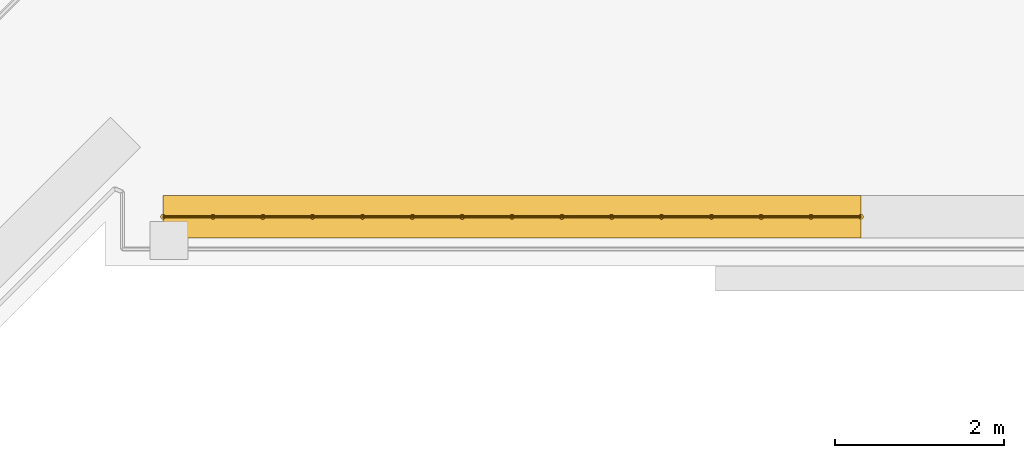
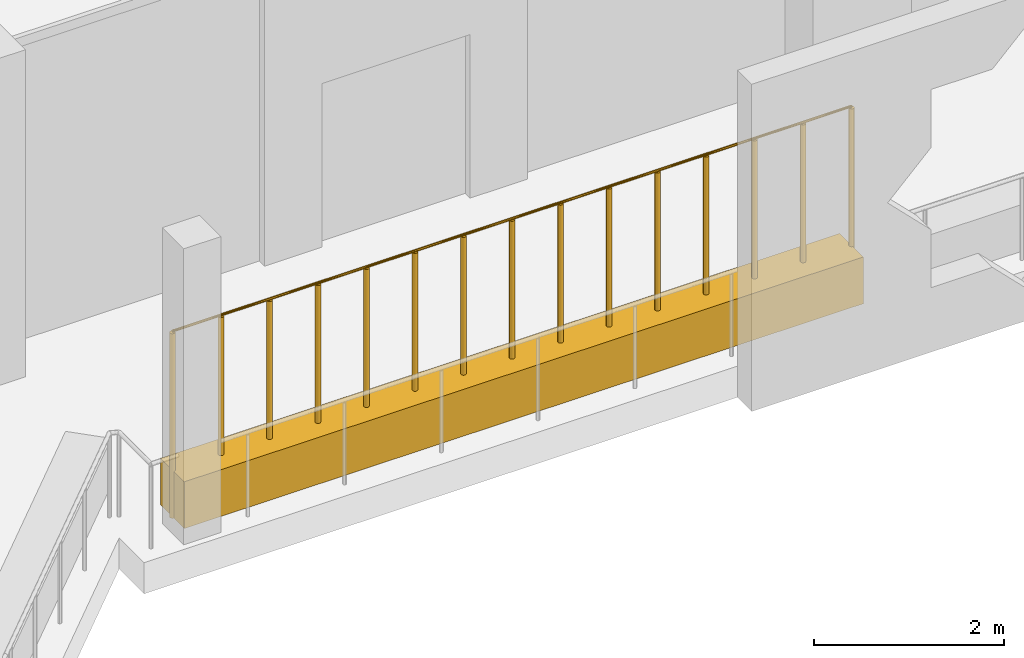
# One storey, part 24 of 28: 1 covering, 1 railing.
"""IFC4 building model written with IfcOpenShell, lengths in metres."""

from ifc_helpers import new_model, si_unit, direction, frame, origin, origin_2d, place, context, subcontext, project, spatial, rectangle, circle, extrude, material, material_profile, profile_set, type_object, element, save


model = new_model("IFC4")

# Units and contexts
model_context = context("Model", 3, precision=1e-05, world=origin(), true_north=direction((0.0, 1.0)))
body_context = subcontext(model_context, "Body", "Model", "MODEL_VIEW")
ifc_project = project(units=[si_unit("LENGTHUNIT", "METRE"), si_unit("AREAUNIT", "SQUARE_METRE"), si_unit("VOLUMEUNIT", "CUBIC_METRE"), si_unit("PLANEANGLEUNIT", "RADIAN"), si_unit("MASSUNIT", "GRAM", prefix="KILO")], contexts=[model_context])

# Site, building, storey
site_placement = place(None, origin())
site = spatial("IfcSite", under=ifc_project, at=site_placement, CompositionType="ELEMENT")
building_placement = place(site_placement, origin())
building = spatial("IfcBuilding", under=site, at=building_placement, Name="Kawkab Arch Medical Tower", CompositionType="ELEMENT")
storey_placement = place(building_placement, frame((0.0, 0.0, 68.60009765625)))
storey = spatial("IfcBuildingStorey", under=building, at=storey_placement, Name="L15", CompositionType="ELEMENT", Elevation=68.60009765625)

# Covering
ifc_material_1 = material(Name="Planting soil in a precast trough", Category="concrete")
ifc_material_profile = material_profile(ifc_material_1, rectangle(XDim=0.5, YDim=0.60009765625, at=origin_2d()), Name="Trough 500x600")
ifc_profile_set = profile_set([ifc_material_profile], Name="Planting soil in a precast trough")
covering_type = type_object("IfcCoveringType", Name="Planter trough 500 x 600", PredefinedType="USERDEFINED", material=ifc_profile_set)
covering_placement = place(storey_placement, frame((40.126953125, -28.820068359375, 0.2998046875), z_axis=(-1.0, 0.0, 0.0), x_axis=(0.0, -1.0, 0.0)))
element("IfcCovering", 1, at=covering_placement, inside=storey, type_object=covering_type, Name="Planter L15.LOG-01-01.41", ObjectType="PLANTER", PredefinedType="USERDEFINED", context=body_context, shape_type="SweptSolid", body=[
    extrude(rectangle(XDim=0.5, YDim=0.60009765625, at=origin_2d()), origin(), (0.0, 0.0, 1.0), 8.2470703125),
])

# Railing
ifc_material_2 = material(Name="Bronze anodised aluminium trellis for climbing plants", Category="aluminium")
railing_type = type_object("IfcRailingType", Name="Planting trellis 2400", PredefinedType="USERDEFINED", material=ifc_material_2)
railing_placement = place(storey_placement, frame((40.126953125, -28.820068359375, 0.0)))
element("IfcRailing", 2, at=railing_placement, inside=storey, type_object=railing_type, Name="Planting trellis L15.LOG-01-01.41", ObjectType="TRELLIS", PredefinedType="USERDEFINED", context=body_context, shape_type="SweptSolid", body=[
    extrude(circle(Radius=0.01513671875, at=origin_2d()), frame((0.0, 0.0, 2.384765625), z_axis=(-1.0, 0.0, 0.0), x_axis=(0.0, -1.0, 0.0)), (0.0, 0.0, 1.0), 8.2470703125),
    extrude(circle(Radius=0.030029296875, at=origin_2d()), origin(), (0.0, 0.0, 1.0), 2.369873046875),
    extrude(circle(Radius=0.030029296875, at=origin_2d()), frame((-0.589111328125, 0.0, 0.0)), (0.0, 0.0, 1.0), 2.369873046875),
    extrude(circle(Radius=0.030029296875, at=origin_2d()), frame((-1.17822265625, 0.0, 0.0)), (0.0, 0.0, 1.0), 2.369873046875),
    extrude(circle(Radius=0.030029296875, at=origin_2d()), frame((-1.767333984375, 0.0, 0.0)), (0.0, 0.0, 1.0), 2.369873046875),
    extrude(circle(Radius=0.030029296875, at=origin_2d()), frame((-2.356201171875, 0.0, 0.0)), (0.0, 0.0, 1.0), 2.369873046875),
    extrude(circle(Radius=0.030029296875, at=origin_2d()), frame((-2.9453125, 0.0, 0.0)), (0.0, 0.0, 1.0), 2.369873046875),
    extrude(circle(Radius=0.030029296875, at=origin_2d()), frame((-3.534423828125, 0.0, 0.0)), (0.0, 0.0, 1.0), 2.369873046875),
    extrude(circle(Radius=0.030029296875, at=origin_2d()), frame((-4.12353515625, 0.0, 0.0)), (0.0, 0.0, 1.0), 2.369873046875),
    extrude(circle(Radius=0.030029296875, at=origin_2d()), frame((-4.712646484375, 0.0, 0.0)), (0.0, 0.0, 1.0), 2.369873046875),
    extrude(circle(Radius=0.030029296875, at=origin_2d()), frame((-5.3017578125, 0.0, 0.0)), (0.0, 0.0, 1.0), 2.369873046875),
    extrude(circle(Radius=0.030029296875, at=origin_2d()), frame((-5.890869140625, 0.0, 0.0)), (0.0, 0.0, 1.0), 2.369873046875),
    extrude(circle(Radius=0.030029296875, at=origin_2d()), frame((-6.479736328125, 0.0, 0.0)), (0.0, 0.0, 1.0), 2.369873046875),
    extrude(circle(Radius=0.030029296875, at=origin_2d()), frame((-7.06884765625, 0.0, 0.0)), (0.0, 0.0, 1.0), 2.369873046875),
    extrude(circle(Radius=0.030029296875, at=origin_2d()), frame((-7.657958984375, 0.0, 0.0)), (0.0, 0.0, 1.0), 2.369873046875),
    extrude(circle(Radius=0.030029296875, at=origin_2d()), frame((-8.2470703125, 0.0, 0.0)), (0.0, 0.0, 1.0), 2.369873046875),
])

save(model, "model.ifc")
